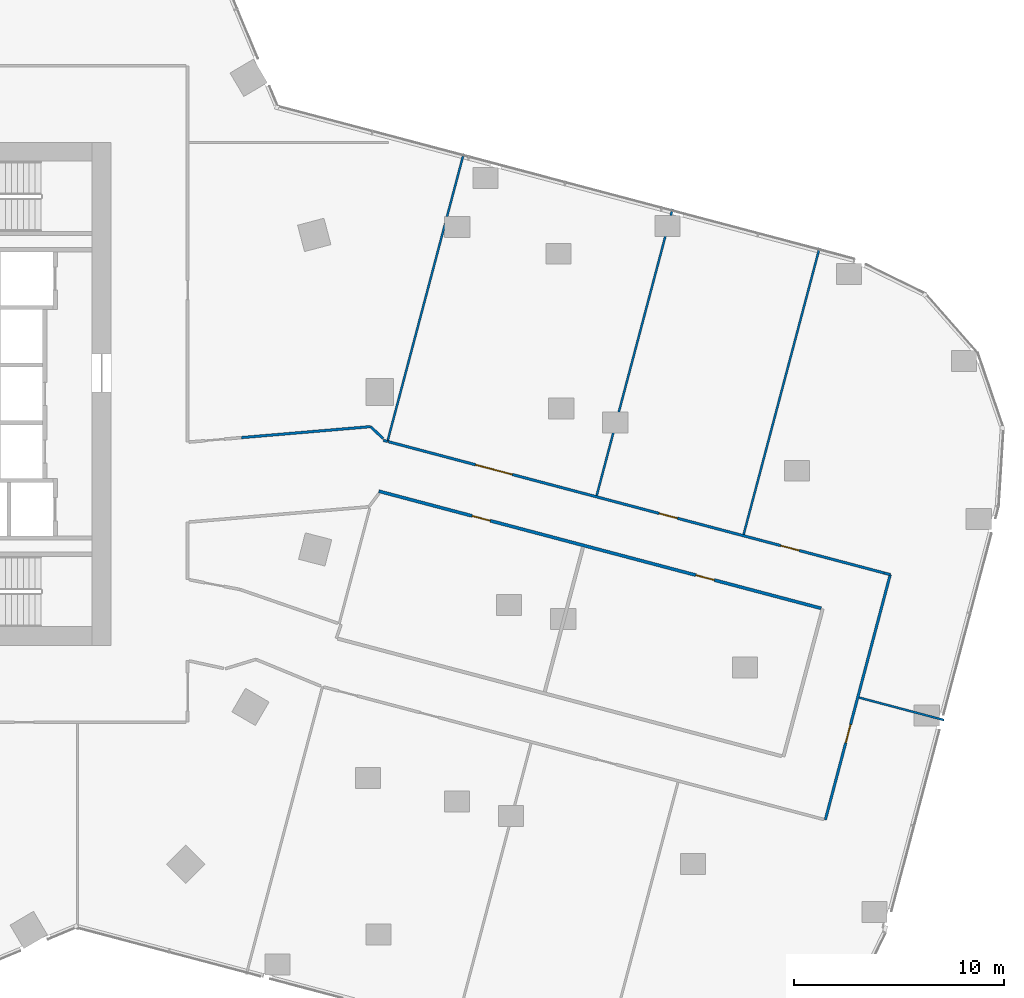
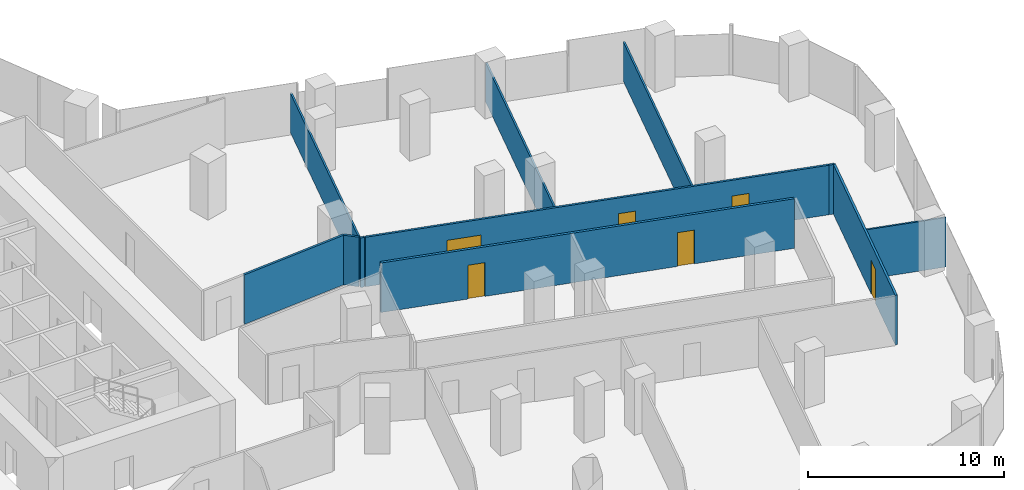
# One storey, part 30 of 35: 11 walls, 6 doors, 6 openings.
"""IFC4 building model written with IfcOpenShell, lengths in metres."""

from ifc_helpers import new_model, si_unit, direction, frame, frame_2d, origin, place, context, subcontext, project, spatial, rectangle, extrude, material, layer, layer_set, type_object, element, fill, save


model = new_model("IFC4")

# Units and contexts
model_context = context("Model", 3, precision=1e-05, world=origin(), true_north=direction((0.0, 1.0)))
body_context = subcontext(model_context, "Body", "Model", "MODEL_VIEW")
ifc_project = project(units=[si_unit("LENGTHUNIT", "METRE"), si_unit("AREAUNIT", "SQUARE_METRE"), si_unit("VOLUMEUNIT", "CUBIC_METRE"), si_unit("PLANEANGLEUNIT", "RADIAN"), si_unit("MASSUNIT", "GRAM", prefix="KILO")], contexts=[model_context])

# Site, building, storey
site_placement = place(None, origin())
site = spatial("IfcSite", under=ifc_project, at=site_placement, CompositionType="ELEMENT")
building_placement = place(site_placement, origin())
building = spatial("IfcBuilding", under=site, at=building_placement, Name="Orlundy Tower", CompositionType="ELEMENT")
storey_placement = place(building_placement, frame((0.0, 0.0, 116.199951171875)))
storey = spatial("IfcBuildingStorey", under=building, at=storey_placement, Name="L29", CompositionType="ELEMENT", Elevation=116.199951171875)

# Walls
ifc_material_1 = material(Name="Gypsum board partition")
ifc_layer_1 = layer(ifc_material_1, 0.10009765625)
ifc_layer_set_1 = layer_set([ifc_layer_1], Name="Floor partition 100")
wall_type_1 = type_object("IfcWallType", Name="Floor partition 100", PredefinedType="PARTITIONING", material=ifc_layer_set_1)
wall_1_placement = place(storey_placement, frame((54.677001953125, -14.48095703125, 0.0), z_axis=(0.0, 0.0, 1.0), x_axis=(0.966750591727, -0.255721124263, 0.0)))
element("IfcWall", 1, at=wall_1_placement, inside=storey, type_object=wall_type_1, Name="wall-int-L29-029", PredefinedType="PARTITIONING", context=body_context, shape_type="SweptSolid", body=[
    extrude(rectangle(XDim=4.188232421875, YDim=0.10009765625, at=frame_2d((2.09423828125, 0.0))), origin(), (0.0, 0.0, 1.0), 3.080078125),
])
ifc_material_2 = material(Name="Gypsum board partition")
ifc_layer_2 = layer(ifc_material_2, 0.10009765625)
ifc_layer_set_2 = layer_set([ifc_layer_2], Name="Floor partition 100 B")
wall_type_2 = type_object("IfcWallType", Name="Floor partition 100 B", PredefinedType="PARTITIONING", material=ifc_layer_set_2)
for number, where, z_axis, x_axis, name in (
    (2, (49.173095703125, -6.699951171875, 0.0), (0.0, 0.0, 1.0), (0.25596945064, 0.966684871268, 0.0), "wall-int-L29-067"),
    (3, (42.1650390625, -4.843994140625, 0.0), (0.0, 0.0, 1.0), (0.25596945064, 0.966684871268, 0.0), "wall-int-L29-070"),
):
    element("IfcWall", number, at=place(storey_placement, frame(where, z_axis=z_axis, x_axis=x_axis)), inside=storey, type_object=wall_type_2, Name=name, PredefinedType="PARTITIONING", context=body_context, shape_type="SweptSolid", body=[
        extrude(rectangle(XDim=14.137939453125, YDim=0.10009765625, at=frame_2d((7.06884765625, 0.0))), origin(), (0.0, 0.0, 1.0), 2.445068359375),
    ])
wall_2_placement = place(storey_placement, frame((32.18603515625, -2.264892578125, 0.0), z_axis=(0.0, 0.0, 1.0), x_axis=(0.2560045642, 0.966675572831, 0.0)))
element("IfcWall", 4, at=wall_2_placement, inside=storey, type_object=wall_type_2, Name="wall-int-L29-073", PredefinedType="PARTITIONING", context=body_context, shape_type="SweptSolid", body=[
    extrude(rectangle(XDim=14.198974609375, YDim=0.10009765625, at=frame_2d((7.099609375, 0.0))), origin(), (0.0, 0.0, 1.0), 2.445068359375),
])
ifc_material_3 = material(Name="Gypsum board partition, double layer")
ifc_layer_3 = layer(ifc_material_3, 0.125)
ifc_layer_set_3 = layer_set([ifc_layer_3], Name="Floor partition 125")
wall_type_3 = type_object("IfcWallType", Name="Floor partition 125", PredefinedType="PARTITIONING", material=ifc_layer_set_3)
wall_3_placement = place(storey_placement, frame((31.3779296875, -1.56005859375, 0.0), z_axis=(0.0, 0.0, 1.0), x_axis=(0.728704597213, -0.684828160928, 0.0)))
element("IfcWall", 5, at=wall_3_placement, inside=storey, type_object=wall_type_3, Name="wall-int-L29-006", PredefinedType="PARTITIONING", context=body_context, shape_type="SweptSolid", body=[
    extrude(rectangle(XDim=0.823486328125, YDim=0.125, at=frame_2d((0.41162109375, 0.0))), origin(), (0.0, 0.0, 1.0), 3.080078125),
])
wall_4_placement = place(storey_placement, frame((55.8759765625, -8.5390625, 0.0), z_axis=(0.0, 0.0, 1.0), x_axis=(0.966598588757, -0.256295080352, 0.0)))
element("IfcWall", 6, at=wall_4_placement, inside=storey, type_object=wall_type_3, Name="wall-int-L29-026", PredefinedType="PARTITIONING", context=body_context, shape_type="SweptSolid", body=[
    extrude(rectangle(XDim=0.300048828125, YDim=0.125, at=frame_2d((0.14990234375, 0.0))), origin(), (0.0, 0.0, 1.0), 3.080078125),
])
wall_5_placement = place(storey_placement, frame((31.985107421875, -2.2119140625, 0.0), z_axis=(0.0, 0.0, 1.0), x_axis=(0.966952674041, -0.25495592985, 0.0)))
element("IfcWall", 7, at=wall_5_placement, inside=storey, type_object=wall_type_3, Name="wall-int-L29-031", PredefinedType="PARTITIONING", context=body_context, shape_type="SweptSolid", body=[
    extrude(rectangle(XDim=0.207763671875, YDim=0.125, at=frame_2d((0.10400390625, 0.0))), origin(), (0.0, 0.0, 1.0), 3.080078125),
])

# Wall, openings, doors
wall_6_placement = place(storey_placement, frame((32.23388671875, -2.278076171875, 0.0), z_axis=(0.0, 0.0, 1.0), x_axis=(0.966664542412, -0.256046211541, 0.0)))
wall_6 = element("IfcWall", 8, at=wall_6_placement, inside=storey, type_object=wall_type_3, Name="wall-int-L29-032", PredefinedType="PARTITIONING", context=body_context, shape_type="SweptSolid", body=[
    extrude(rectangle(XDim=24.456298828125, YDim=0.125, at=frame_2d((12.22802734375, 0.0))), origin(), (0.0, 0.0, 1.0), 3.080078125),
])
opening_1_placement = place(wall_6_placement, frame((4.300048828125, 0.0, 0.0)))
opening_1 = element("IfcOpeningElement", 9, at=opening_1_placement, cuts=wall_6, Name="Opening 22100", PredefinedType="OPENING", context=body_context, shape_type="SweptSolid", body=[
    extrude(rectangle(XDim=1.800048828125, YDim=2.10009765625, at=frame_2d((0.89990234375, 1.050048828125))), frame((0.0, 0.072509765625, 0.0), z_axis=(0.0, -1.0, 0.0), x_axis=(1.0, 0.0, 0.0)), (0.0, 0.0, 1.0), 0.14501953125),
])
opening_2_placement = place(wall_6_placement, frame((13.356689453125, 0.0, 0.0)))
opening_2 = element("IfcOpeningElement", 10, at=opening_2_placement, cuts=wall_6, Name="Opening 22103", PredefinedType="OPENING", context=body_context, shape_type="SweptSolid", body=[
    extrude(rectangle(XDim=0.89990234375, YDim=2.10009765625, at=frame_2d((0.449951171875, 1.050048828125))), frame((0.0, 0.072509765625, 0.0), z_axis=(0.0, -1.0, 0.0), x_axis=(1.0, 0.0, 0.0)), (0.0, 0.0, 1.0), 0.14501953125),
])
opening_3_placement = place(wall_6_placement, frame((19.356201171875, 0.0, 0.0)))
opening_3 = element("IfcOpeningElement", 11, at=opening_3_placement, cuts=wall_6, Name="Opening 22106", PredefinedType="OPENING", context=body_context, shape_type="SweptSolid", body=[
    extrude(rectangle(XDim=0.89990234375, YDim=2.10009765625, at=frame_2d((0.449951171875, 1.050048828125))), frame((0.0, 0.072509765625, 0.0), z_axis=(0.0, -1.0, 0.0), x_axis=(1.0, 0.0, 0.0)), (0.0, 0.0, 1.0), 0.14501953125),
])
ifc_material_4 = material(Name="Timber door leaf", Category="wood")
door_type_1 = type_object("IfcDoorType", Name="Floor door double 1800 FD30S", OperationType="NOTDEFINED", PredefinedType="DOOR", material=ifc_material_4)
door_1_placement = place(opening_1_placement, origin())
door_1 = element("IfcDoor", 12, at=door_1_placement, inside=storey, type_object=door_type_1, Name="Door 22100", OperationType="DOUBLE_DOOR_SINGLE_SWING", OverallHeight=2.10009765625, OverallWidth=1.800048828125, PredefinedType="DOOR", context=body_context, shape_type="SweptSolid", body=[
    extrude(rectangle(XDim=1.800048828125, YDim=2.10009765625, at=frame_2d((0.89990234375, 1.050048828125))), frame((0.0, 0.02490234375, 0.0), z_axis=(0.0, -1.0, 0.0), x_axis=(1.0, 0.0, 0.0)), (0.0, 0.0, 1.0), 0.050048828125),
])
fill(opening_1, door_1)
ifc_material_5 = material(Name="Timber door leaf", Category="wood")
door_type_2 = type_object("IfcDoorType", Name="Floor door single 900 FD30S", OperationType="NOTDEFINED", PredefinedType="DOOR", material=ifc_material_5)
door_2_placement = place(opening_2_placement, origin())
door_2 = element("IfcDoor", 13, at=door_2_placement, inside=storey, type_object=door_type_2, Name="Door 22103", OperationType="SINGLE_SWING_RIGHT", OverallHeight=2.10009765625, OverallWidth=0.89990234375, PredefinedType="DOOR", context=body_context, shape_type="SweptSolid", body=[
    extrude(rectangle(XDim=0.89990234375, YDim=2.10009765625, at=frame_2d((0.449951171875, 1.050048828125))), frame((0.0, 0.02490234375, 0.0), z_axis=(0.0, -1.0, 0.0), x_axis=(1.0, 0.0, 0.0)), (0.0, 0.0, 1.0), 0.050048828125),
])
fill(opening_2, door_2)
door_3_placement = place(opening_3_placement, origin())
door_3 = element("IfcDoor", 14, at=door_3_placement, inside=storey, type_object=door_type_2, Name="Door 22106", OperationType="SINGLE_SWING_RIGHT", OverallHeight=2.10009765625, OverallWidth=0.89990234375, PredefinedType="DOOR", context=body_context, shape_type="SweptSolid", body=[
    extrude(rectangle(XDim=0.89990234375, YDim=2.10009765625, at=frame_2d((0.449951171875, 1.050048828125))), frame((0.0, 0.02490234375, 0.0), z_axis=(0.0, -1.0, 0.0), x_axis=(1.0, 0.0, 0.0)), (0.0, 0.0, 1.0), 0.050048828125),
])
fill(opening_3, door_3)

# Wall
wall_7_placement = place(storey_placement, frame((25.222900390625, -2.0830078125, 0.0), z_axis=(0.0, 0.0, 1.0), x_axis=(0.996410075985, 0.084657902612, 0.0)))
element("IfcWall", 15, at=wall_7_placement, inside=storey, type_object=wall_type_3, Name="wall-int-L29-051", PredefinedType="PARTITIONING", context=body_context, shape_type="SweptSolid", body=[
    extrude(rectangle(XDim=6.17724609375, YDim=0.125, at=frame_2d((3.088623046875, 0.0))), origin(), (0.0, 0.0, 1.0), 3.080078125),
])

# Wall, opening, door
wall_8_placement = place(storey_placement, frame((56.1650390625, -8.615966796875, 0.0), z_axis=(0.0, 0.0, 1.0), x_axis=(-0.255867603739, -0.966711833669, 0.0)))
wall_8 = element("IfcWall", 16, at=wall_8_placement, inside=storey, type_object=wall_type_3, Name="wall-int-L29-064", PredefinedType="PARTITIONING", context=body_context, shape_type="SweptSolid", body=[
    extrude(rectangle(XDim=12.099853515625, YDim=0.125, at=frame_2d((6.0498046875, 0.0))), origin(), (0.0, 0.0, 1.0), 3.080078125),
])
opening_4_placement = place(wall_8_placement, frame((7.400634765625, 0.0, 0.0)))
opening_4 = element("IfcOpeningElement", 17, at=opening_4_placement, cuts=wall_8, Name="Opening 22105", PredefinedType="OPENING", context=body_context, shape_type="SweptSolid", body=[
    extrude(rectangle(XDim=0.89990234375, YDim=2.10009765625, at=frame_2d((0.449951171875, 1.050048828125))), frame((0.0, 0.072509765625, 0.0), z_axis=(0.0, -1.0, 0.0), x_axis=(1.0, 0.0, 0.0)), (0.0, 0.0, 1.0), 0.14501953125),
])
door_4_placement = place(opening_4_placement, origin())
door_4 = element("IfcDoor", 18, at=door_4_placement, inside=storey, type_object=door_type_2, Name="Door 22105", OperationType="SINGLE_SWING_RIGHT", OverallHeight=2.10009765625, OverallWidth=0.89990234375, PredefinedType="DOOR", context=body_context, shape_type="SweptSolid", body=[
    extrude(rectangle(XDim=0.89990234375, YDim=2.10009765625, at=frame_2d((0.449951171875, 1.050048828125))), frame((0.0, 0.02490234375, 0.0), z_axis=(0.0, -1.0, 0.0), x_axis=(1.0, 0.0, 0.0)), (0.0, 0.0, 1.0), 0.050048828125),
])
fill(opening_4, door_4)

# Wall, openings, doors
ifc_material_6 = material(Name="Blockwork shaft wall", Category="masonry")
ifc_layer_4 = layer(ifc_material_6, 0.14990234375)
ifc_layer_set_4 = layer_set([ifc_layer_4], Name="Floor shaft wall 150")
wall_type_4 = type_object("IfcWallType", Name="Floor shaft wall 150", PredefinedType="PARTITIONING", material=ifc_layer_set_4)
wall_9_placement = place(storey_placement, frame((52.867919921875, -10.22509765625, 0.0), z_axis=(0.0, 0.0, 1.0), x_axis=(-0.966680071038, 0.255987578328, 0.0)))
wall_9 = element("IfcWall", 19, at=wall_9_placement, inside=storey, type_object=wall_type_4, Name="wall-int-L29-030", PredefinedType="PARTITIONING", context=body_context, shape_type="SweptSolid", body=[
    extrude(rectangle(XDim=21.822021484375, YDim=0.14990234375, at=frame_2d((10.9111328125, 0.0))), origin(), (0.0, 0.0, 1.0), 3.080078125),
])
opening_5_placement = place(wall_9_placement, frame((16.32421875, 0.0, 0.0)))
opening_5 = element("IfcOpeningElement", 20, at=opening_5_placement, cuts=wall_9, Name="Opening 22101", PredefinedType="OPENING", context=body_context, shape_type="SweptSolid", body=[
    extrude(rectangle(XDim=0.89990234375, YDim=2.10009765625, at=frame_2d((0.449951171875, 1.050048828125))), frame((0.0, 0.0849609375, 0.0), z_axis=(0.0, -1.0, 0.0), x_axis=(1.0, 0.0, 0.0)), (0.0, 0.0, 1.0), 0.169921875),
])
opening_6_placement = place(wall_9_placement, frame((5.27490234375, 0.0, 0.0)))
opening_6 = element("IfcOpeningElement", 21, at=opening_6_placement, cuts=wall_9, Name="Opening 22104", PredefinedType="OPENING", context=body_context, shape_type="SweptSolid", body=[
    extrude(rectangle(XDim=0.89990234375, YDim=2.10009765625, at=frame_2d((0.449951171875, 1.050048828125))), frame((0.0, 0.0849609375, 0.0), z_axis=(0.0, -1.0, 0.0), x_axis=(1.0, 0.0, 0.0)), (0.0, 0.0, 1.0), 0.169921875),
])
ifc_material_7 = material(Name="Timber door leaf", Category="wood")
door_type_3 = type_object("IfcDoorType", Name="Floor door single 900 FD60", OperationType="NOTDEFINED", PredefinedType="DOOR", material=ifc_material_7)
door_5_placement = place(opening_5_placement, origin())
door_5 = element("IfcDoor", 22, at=door_5_placement, inside=storey, type_object=door_type_3, Name="Door 22101", OperationType="SINGLE_SWING_RIGHT", OverallHeight=2.10009765625, OverallWidth=0.89990234375, PredefinedType="DOOR", context=body_context, shape_type="SweptSolid", body=[
    extrude(rectangle(XDim=0.89990234375, YDim=2.10009765625, at=frame_2d((0.449951171875, 1.050048828125))), frame((0.0, 0.02490234375, 0.0), z_axis=(0.0, -1.0, 0.0), x_axis=(1.0, 0.0, 0.0)), (0.0, 0.0, 1.0), 0.050048828125),
])
fill(opening_5, door_5)
door_6_placement = place(opening_6_placement, origin())
door_6 = element("IfcDoor", 23, at=door_6_placement, inside=storey, type_object=door_type_3, Name="Door 22104", OperationType="SINGLE_SWING_LEFT", OverallHeight=2.10009765625, OverallWidth=0.89990234375, PredefinedType="DOOR", context=body_context, shape_type="SweptSolid", body=[
    extrude(rectangle(XDim=0.89990234375, YDim=2.10009765625, at=frame_2d((0.449951171875, 1.050048828125))), frame((0.0, 0.02490234375, 0.0), z_axis=(0.0, -1.0, 0.0), x_axis=(1.0, 0.0, 0.0)), (0.0, 0.0, 1.0), 0.050048828125),
])
fill(opening_6, door_6)

save(model, "model.ifc")
